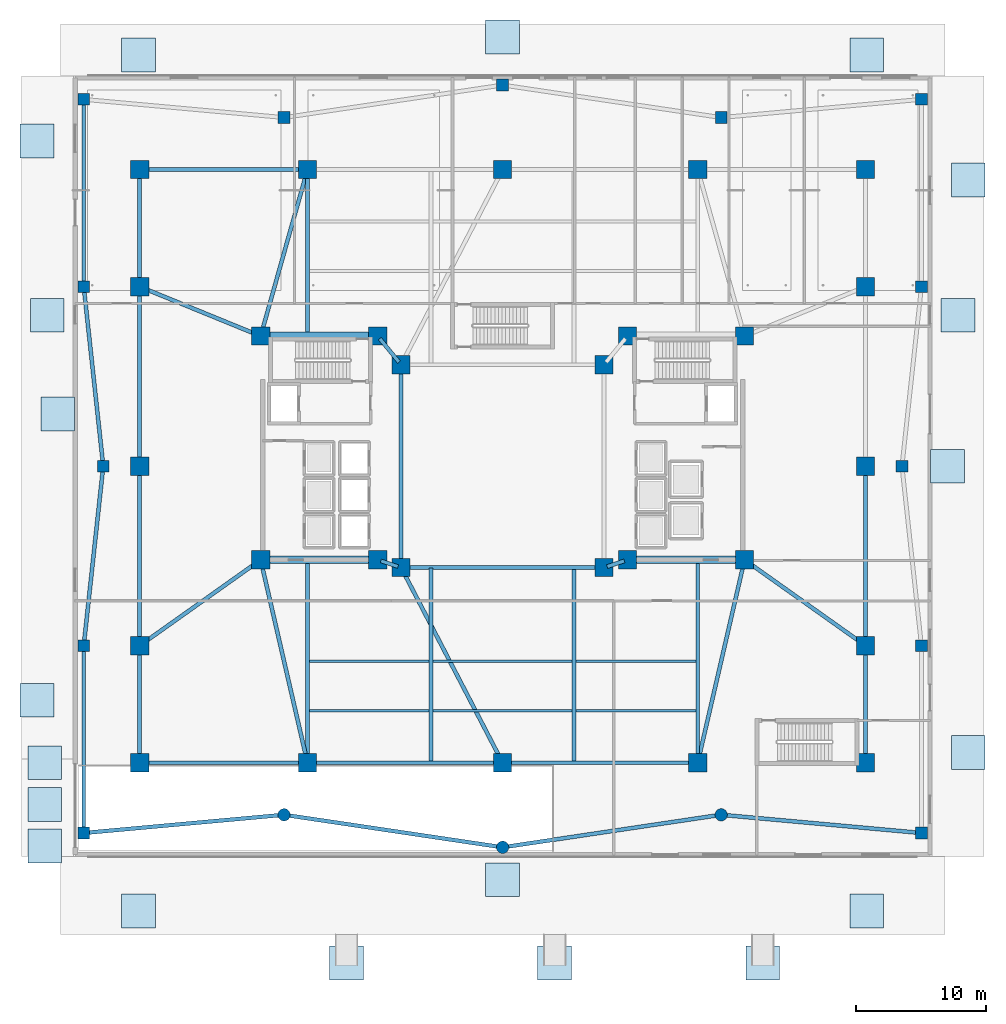
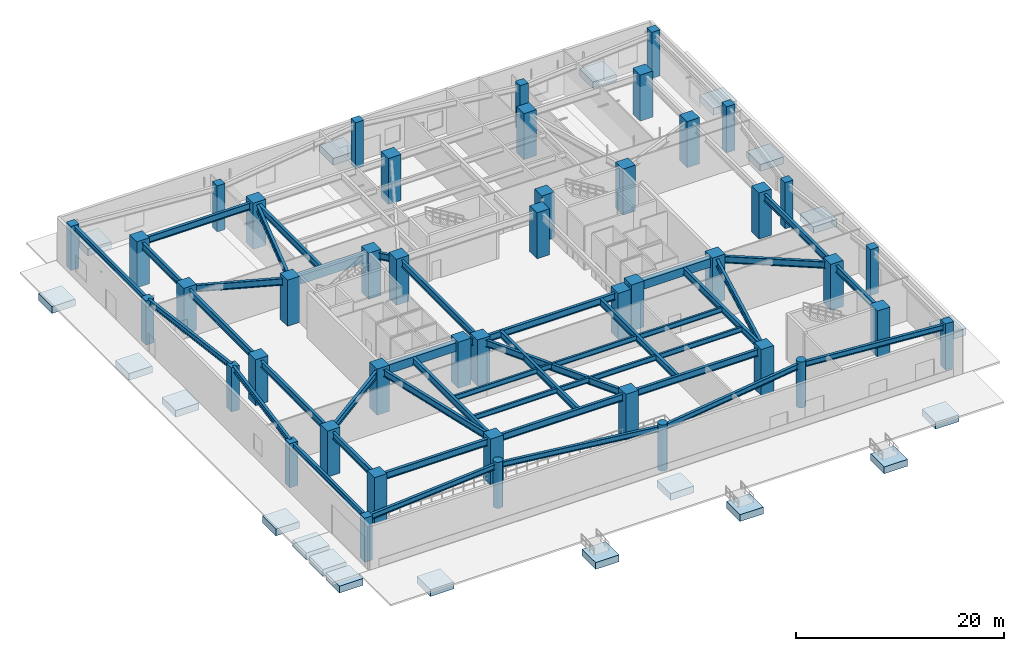
# One storey, part 1 of 18: 44 beams, 44 columns, 20 footings.
"""IFC4 building model written with IfcOpenShell, lengths in metres."""

from ifc_helpers import new_model, si_unit, direction, frame, origin, origin_2d, place, context, subcontext, project, spatial, rectangle, circle, i_section, extrude, material, material_profile, profile_set, type_object, element, save


model = new_model("IFC4")

# Units and contexts
model_context = context("Model", 3, precision=1e-05, world=origin(), true_north=direction((0.0, 1.0)))
body_context = subcontext(model_context, "Body", "Model", "MODEL_VIEW")
ifc_project = project(units=[si_unit("LENGTHUNIT", "METRE"), si_unit("AREAUNIT", "SQUARE_METRE"), si_unit("VOLUMEUNIT", "CUBIC_METRE"), si_unit("PLANEANGLEUNIT", "RADIAN"), si_unit("MASSUNIT", "GRAM", prefix="KILO")], contexts=[model_context])

# Site, building, storey
site_placement = place(None, origin())
site = spatial("IfcSite", under=ifc_project, at=site_placement, CompositionType="ELEMENT")
building_placement = place(site_placement, origin())
building = spatial("IfcBuilding", under=site, at=building_placement, Name="Tarnavaz Court Tower", CompositionType="ELEMENT")
storey_placement = place(building_placement, origin())
storey = spatial("IfcBuildingStorey", under=building, at=storey_placement, Name="L00", CompositionType="ELEMENT", Elevation=0.0)

# Footings
ifc_material_1 = material(Name="Concrete C50/60", Category="concrete")
footing_type = type_object("IfcFootingType", Name="FT-PAD", PredefinedType="PAD_FOOTING", material=ifc_material_1)
for number, where, z_axis, x_axis, name in (
    (1, (-28.0, -34.199951171875, -1.0), (0.0, 0.0, 1.0), (1.0, 0.0, 0.0), "L00 Grade Paving & Ramp Pad Footing S-F1"),
    (2, (0.0, -31.800048828125, -1.0), (0.0, 0.0, 1.0), (1.0, 0.0, 0.0), "L00 Grade Paving & Ramp Pad Footing S-F2"),
    (3, (28.0, -34.199951171875, -1.0), (0.0, 0.0, 1.0), (1.0, 0.0, 0.0), "L00 Grade Paving & Ramp Pad Footing S-F3"),
    (4, (-12.0, -38.199951171875, -1.0), (0.0, 0.0, 1.0), (1.0, 0.0, 0.0), "L00 Grade Paving & Ramp Pad Footing RMP1"),
    (5, (4.0, -38.199951171875, -1.0), (0.0, 0.0, 1.0), (1.0, 0.0, 0.0), "L00 Grade Paving & Ramp Pad Footing RMP2"),
    (6, (20.0, -38.199951171875, -1.0), (0.0, 0.0, 1.0), (1.0, 0.0, 0.0), "L00 Grade Paving & Ramp Pad Footing RMP3"),
    (7, (-28.0, 31.60009765625, -1.0), (0.0, 0.0, 1.0), (1.0, 0.0, 0.0), "L00 Grade Paving & Ramp Pad Footing N-W1"),
    (8, (0.0, 33.0, -1.0), (0.0, 0.0, 1.0), (1.0, 0.0, 0.0), "L00 Grade Paving & Ramp Pad Footing N-W2"),
    (9, (28.0, 31.60009765625, -1.0), (0.0, 0.0, 1.0), (1.0, 0.0, 0.0), "L00 Grade Paving & Ramp Pad Footing N-W3"),
    (10, (-35.800048828125, -18.0, -1.0), (0.0, 0.0, 1.0), (1.0, 0.0, 0.0), "L00 Grade Paving & Ramp Pad Footing W-W1"),
    (11, (-34.199951171875, 4.0, -1.0), (0.0, 0.0, 1.0), (1.0, 0.0, 0.0), "L00 Grade Paving & Ramp Pad Footing W-W2"),
    (12, (-35.800048828125, 25.0, -1.0), (0.0, 0.0, 1.0), (1.0, 0.0, 0.0), "L00 Grade Paving & Ramp Pad Footing W-W3"),
    (13, (-35.199951171875, -29.199951171875, -1.10009765625), (0.0, 0.0, 1.0), (1.0, 0.0, 0.0), "L00 Grade Paving & Ramp Pad Footing W-AP1"),
    (14, (-35.199951171875, -26.0, -1.10009765625), (0.0, 0.0, 1.0), (1.0, 0.0, 0.0), "L00 Grade Paving & Ramp Pad Footing W-AP2"),
    (15, (-35.199951171875, -22.800048828125, -1.10009765625), (0.0, 0.0, 1.0), (1.0, 0.0, 0.0), "L00 Grade Paving & Ramp Pad Footing W-AP3"),
    (16, (35.800048828125, -22.0, -1.0), (0.0, 0.0, 1.0), (1.0, 0.0, 0.0), "L00 Grade Paving & Ramp Pad Footing E-W1"),
    (17, (34.199951171875, 0.0, -1.0), (0.0, 0.0, 1.0), (1.0, 0.0, 0.0), "L00 Grade Paving & Ramp Pad Footing E-W2"),
    (18, (35.800048828125, 22.0, -1.0), (0.0, 0.0, 1.0), (1.0, 0.0, 0.0), "L00 Grade Paving & Ramp Pad Footing E-W3"),
    (19, (-35.0, 11.60009765625, -1.0), (0.0, 0.0, 1.0), (1.0, 0.0, 0.0), "L00 Grade Paving & Ramp Pad Footing W-EX"),
    (20, (35.0, 11.60009765625, -1.0), (0.0, 0.0, 1.0), (1.0, 0.0, 0.0), "L00 Grade Paving & Ramp Pad Footing E-EX"),
):
    element("IfcFooting", number, at=place(storey_placement, frame(where, z_axis=z_axis, x_axis=x_axis)), inside=storey, type_object=footing_type, Name=name, PredefinedType="PAD_FOOTING", context=body_context, shape_type="SweptSolid", body=[
        extrude(rectangle(XDim=2.60009765625, YDim=2.60009765625, at=origin_2d()), origin(), (0.0, 0.0, 1.0), 0.800048828125),
    ])

# Columns
ifc_material_2 = material(Name="Concrete C60/75", Category="concrete")
ifc_material_profile_1 = material_profile(ifc_material_2, rectangle(XDim=1.39990234375, YDim=1.39990234375, at=origin_2d()), Name="RC 1400X1400")
ifc_profile_set_1 = profile_set([ifc_material_profile_1], Name="Concrete C60/75")
column_type_1 = type_object("IfcColumnType", Name="CL-RC1400", PredefinedType="COLUMN", material=ifc_profile_set_1)
for number, where, z_axis, x_axis, name in (
    (21, (-7.800048828125, -7.800048828125, 0.0), (0.0, 0.0, 1.0), (1.0, 0.0, 0.0), "L00 Column IW-SW"),
    (22, (7.800048828125, -7.800048828125, 0.0), (0.0, 0.0, 1.0), (1.0, 0.0, 0.0), "L00 Column IW-SE"),
    (23, (-7.800048828125, 7.800048828125, 0.0), (0.0, 0.0, 1.0), (1.0, 0.0, 0.0), "L00 Column IW-NW"),
    (24, (7.800048828125, 7.800048828125, 0.0), (0.0, 0.0, 1.0), (1.0, 0.0, 0.0), "L00 Column IW-NE"),
    (25, (-9.60009765625, -7.199951171875, 0.0), (0.0, 0.0, 1.0), (1.0, 0.0, 0.0), "L00 Column CW-SI"),
    (26, (-9.60009765625, 10.0, 0.0), (0.0, 0.0, 1.0), (1.0, 0.0, 0.0), "L00 Column CW-NI"),
    (27, (9.60009765625, -7.199951171875, 0.0), (0.0, 0.0, 1.0), (1.0, 0.0, 0.0), "L00 Column CE-SI"),
    (28, (9.60009765625, 10.0, 0.0), (0.0, 0.0, 1.0), (1.0, 0.0, 0.0), "L00 Column CE-NI"),
    (29, (-18.60009765625, -7.199951171875, 0.0), (0.0, 0.0, 1.0), (1.0, 0.0, 0.0), "L00 Column CW-SO"),
    (30, (-18.60009765625, 10.0, 0.0), (0.0, 0.0, 1.0), (1.0, 0.0, 0.0), "L00 Column CW-NO"),
    (31, (18.60009765625, -7.199951171875, 0.0), (0.0, 0.0, 1.0), (1.0, 0.0, 0.0), "L00 Column CE-SO"),
    (32, (18.60009765625, 10.0, 0.0), (0.0, 0.0, 1.0), (1.0, 0.0, 0.0), "L00 Column CE-NO"),
    (33, (-27.89990234375, 22.800048828125, 0.0), (0.0, 0.0, 1.0), (1.0, 0.0, 0.0), "L00 Column PM-NW"),
    (34, (-15.0, 22.800048828125, 0.0), (0.0, 0.0, 1.0), (1.0, 0.0, 0.0), "L00 Column PM-N1"),
    (35, (0.0, 22.800048828125, 0.0), (0.0, 0.0, 1.0), (1.0, 0.0, 0.0), "L00 Column PM-N2"),
    (36, (15.0, 22.800048828125, 0.0), (0.0, 0.0, 1.0), (1.0, 0.0, 0.0), "L00 Column PM-N3"),
    (37, (27.89990234375, 22.800048828125, 0.0), (0.0, 0.0, 1.0), (1.0, 0.0, 0.0), "L00 Column PM-NE"),
    (38, (-27.89990234375, -22.800048828125, 0.0), (0.0, 0.0, 1.0), (1.0, 0.0, 0.0), "L00 Column PM-SW"),
    (39, (-15.0, -22.800048828125, 0.0), (0.0, 0.0, 1.0), (1.0, 0.0, 0.0), "L00 Column PM-S1"),
    (40, (0.0, -22.800048828125, 0.0), (0.0, 0.0, 1.0), (1.0, 0.0, 0.0), "L00 Column PM-S2"),
    (41, (15.0, -22.800048828125, 0.0), (0.0, 0.0, 1.0), (1.0, 0.0, 0.0), "L00 Column PM-S3"),
    (42, (27.89990234375, -22.800048828125, 0.0), (0.0, 0.0, 1.0), (1.0, 0.0, 0.0), "L00 Column PM-SE"),
    (43, (-27.89990234375, -13.800048828125, 0.0), (0.0, 0.0, 1.0), (1.0, 0.0, 0.0), "L00 Column PM-W1"),
    (44, (-27.89990234375, 0.0, 0.0), (0.0, 0.0, 1.0), (1.0, 0.0, 0.0), "L00 Column PM-W2"),
    (45, (-27.89990234375, 13.800048828125, 0.0), (0.0, 0.0, 1.0), (1.0, 0.0, 0.0), "L00 Column PM-W3"),
    (46, (27.89990234375, -13.800048828125, 0.0), (0.0, 0.0, 1.0), (1.0, 0.0, 0.0), "L00 Column PM-E1"),
    (47, (27.89990234375, 0.0, 0.0), (0.0, 0.0, 1.0), (1.0, 0.0, 0.0), "L00 Column PM-E2"),
    (48, (27.89990234375, 13.800048828125, 0.0), (0.0, 0.0, 1.0), (1.0, 0.0, 0.0), "L00 Column PM-E3"),
):
    element("IfcColumn", number, at=place(storey_placement, frame(where, z_axis=z_axis, x_axis=x_axis)), inside=storey, type_object=column_type_1, Name=name, PredefinedType="COLUMN", context=body_context, shape_type="SweptSolid", body=[
        extrude(rectangle(XDim=1.39990234375, YDim=1.39990234375, at=origin_2d()), origin(), (0.0, 0.0, 1.0), 5.39990234375),
    ])
ifc_material_profile_2 = material_profile(ifc_material_1, rectangle(XDim=0.89990234375, YDim=0.89990234375, at=origin_2d()), Name="RC 900X900")
ifc_profile_set_2 = profile_set([ifc_material_profile_2], Name="Concrete C50/60")
column_type_2 = type_object("IfcColumnType", Name="CL-RC900", PredefinedType="COLUMN", material=ifc_profile_set_2)
for number, where, z_axis, x_axis, name in (
    (49, (-32.199951171875, -28.199951171875, 0.0), (0.0, 0.0, 1.0), (1.0, 0.0, 0.0), "L00 Column POD-SW1"),
    (50, (-32.199951171875, -13.800048828125, 0.0), (0.0, 0.0, 1.0), (1.0, 0.0, 0.0), "L00 Column POD-W1"),
    (51, (-30.699951171875, 0.0, 0.0), (0.0, 0.0, 1.0), (1.0, 0.0, 0.0), "L00 Column POD-W2"),
    (52, (-32.199951171875, 13.800048828125, 0.0), (0.0, 0.0, 1.0), (1.0, 0.0, 0.0), "L00 Column POD-W3"),
    (53, (-32.199951171875, 28.199951171875, 0.0), (0.0, 0.0, 1.0), (1.0, 0.0, 0.0), "L00 Column POD-NW1"),
):
    element("IfcColumn", number, at=place(storey_placement, frame(where, z_axis=z_axis, x_axis=x_axis)), inside=storey, type_object=column_type_2, Name=name, PredefinedType="COLUMN", context=body_context, shape_type="SweptSolid", body=[
        extrude(rectangle(XDim=0.89990234375, YDim=0.89990234375, at=origin_2d()), origin(), (0.0, 0.0, 1.0), 5.179931640625),
    ])
for number, where, z_axis, x_axis, name in (
    (54, (32.199951171875, -28.199951171875, 0.0), (0.0, 0.0, 1.0), (1.0, 0.0, 0.0), "L00 Column POD-SE1"),
    (55, (32.199951171875, -13.800048828125, 0.0), (0.0, 0.0, 1.0), (1.0, 0.0, 0.0), "L00 Column POD-E1"),
    (56, (30.699951171875, 0.0, 0.0), (0.0, 0.0, 1.0), (1.0, 0.0, 0.0), "L00 Column POD-E2"),
    (57, (32.199951171875, 13.800048828125, 0.0), (0.0, 0.0, 1.0), (1.0, 0.0, 0.0), "L00 Column POD-E3"),
    (58, (32.199951171875, 28.199951171875, 0.0), (0.0, 0.0, 1.0), (1.0, 0.0, 0.0), "L00 Column POD-NE1"),
    (59, (-16.800048828125, 26.800048828125, 0.0), (0.0, 0.0, 1.0), (1.0, 0.0, 0.0), "L00 Column POD-N1"),
    (60, (0.0, 29.300048828125, 0.0), (0.0, 0.0, 1.0), (1.0, 0.0, 0.0), "L00 Column POD-N2"),
    (61, (16.800048828125, 26.800048828125, 0.0), (0.0, 0.0, 1.0), (1.0, 0.0, 0.0), "L00 Column POD-N3"),
):
    element("IfcColumn", number, at=place(storey_placement, frame(where, z_axis=z_axis, x_axis=x_axis)), inside=storey, type_object=column_type_2, Name=name, PredefinedType="COLUMN", context=body_context, shape_type="SweptSolid", body=[
        extrude(rectangle(XDim=0.89990234375, YDim=0.89990234375, at=origin_2d()), origin(), (0.0, 0.0, 1.0), 5.39990234375),
    ])
ifc_material_profile_3 = material_profile(ifc_material_2, circle(Radius=0.47509765625, at=origin_2d()), Name="RC D950")
ifc_profile_set_3 = profile_set([ifc_material_profile_3], Name="Concrete C60/75")
column_type_3 = type_object("IfcColumnType", Name="CL-RCD950", PredefinedType="PILASTER", material=ifc_profile_set_3)
for number, where, z_axis, x_axis, name in (
    (62, (-16.800048828125, -26.800048828125, 0.0), (0.0, 0.0, 1.0), (1.0, 0.0, 0.0), "L00 Column POD-S1"),
    (63, (0.0, -29.300048828125, 0.0), (0.0, 0.0, 1.0), (1.0, 0.0, 0.0), "L00 Column POD-S2"),
    (64, (16.800048828125, -26.800048828125, 0.0), (0.0, 0.0, 1.0), (1.0, 0.0, 0.0), "L00 Column POD-S3"),
):
    element("IfcColumn", number, at=place(storey_placement, frame(where, z_axis=z_axis, x_axis=x_axis)), inside=storey, type_object=column_type_3, Name=name, PredefinedType="PILASTER", context=body_context, shape_type="SweptSolid", body=[
        extrude(circle(Radius=0.47509765625, at=origin_2d()), origin(), (0.0, 0.0, 1.0), 5.39990234375),
    ])

# Beams
ifc_material_profile_4 = material_profile(ifc_material_2, rectangle(XDim=0.60009765625, YDim=1.0, at=origin_2d()), Name="RC 600X1000")
ifc_profile_set_4 = profile_set([ifc_material_profile_4], Name="Concrete C60/75")
beam_type_1 = type_object("IfcBeamType", Name="BM-CB1000", PredefinedType="LINTEL", material=ifc_profile_set_4)
for number, where, z_axis, x_axis, name in (
    (65, (-18.35009765625, -7.199951171875, 4.60009765625), (1.0, 0.0, 0.0), (0.0, 1.0, 0.0), "L00 Beam CW-SO-CW-SI"),
    (66, (-18.35009765625, 10.0, 4.60009765625), (1.0, 0.0, 0.0), (0.0, 1.0, 0.0), "L00 Beam CW-NO-CW-NI"),
    (67, (18.35009765625, -7.199951171875, 4.60009765625), (-1.0, 0.0, 0.0), (0.0, -1.0, 0.0), "L00 Beam CE-SO-CE-SI"),
):
    element("IfcBeam", number, at=place(storey_placement, frame(where, z_axis=z_axis, x_axis=x_axis)), inside=storey, type_object=beam_type_1, Name=name, PredefinedType="LINTEL", context=body_context, shape_type="SweptSolid", body=[
        extrude(rectangle(XDim=0.60009765625, YDim=1.0, at=origin_2d()), origin(), (0.0, 0.0, 1.0), 8.5),
    ])
ifc_material_3 = material(Name="Steel S355", Category="steel")
ifc_material_profile_5 = material_profile(ifc_material_3, i_section(OverallWidth=0.300048828125, OverallDepth=0.800048828125, WebThickness=0.017578125, FlangeThickness=0.032958984375, FilletRadius=0.030029296875, at=origin_2d()), Name="HEB 800")
ifc_profile_set_5 = profile_set([ifc_material_profile_5], Name="Steel S355")
beam_type_2 = type_object("IfcBeamType", Name="BM-G-HEB800", PredefinedType="USERDEFINED", material=ifc_profile_set_5)
for number, where, z_axis, x_axis, name in (
    (68, (-7.550048828125, -7.800048828125, 4.699951171875), (1.0, 0.0, 0.0), (0.0, 1.0, 0.0), "L00 Beam IW-SW-IW-SE"),
    (69, (-7.800048828125, -7.550048828125, 4.699951171875), (0.0, 1.0, 0.0), (-1.0, 0.0, 0.0), "L00 Beam IW-SW-IW-NW"),
):
    element("IfcBeam", number, at=place(storey_placement, frame(where, z_axis=z_axis, x_axis=x_axis)), inside=storey, type_object=beam_type_2, Name=name, ObjectType="GIRDER", PredefinedType="USERDEFINED", context=body_context, shape_type="SweptSolid", body=[
        extrude(i_section(OverallWidth=0.300048828125, OverallDepth=0.800048828125, WebThickness=0.017578125, FlangeThickness=0.032958984375, FilletRadius=0.030029296875, at=origin_2d()), origin(), (0.0, 0.0, 1.0), 15.10009765625),
    ])
for number, where, z_axis, x_axis, name in (
    (70, (-9.36279296875, -7.279052734375, 4.699951171875), (0.948683298051, -0.316227766017, 0.0), (0.316227766017, 0.948683298051, 0.0), "L00 Beam CW-SI-IW-SW"),
    (71, (9.36279296875, -7.279052734375, 4.699951171875), (-0.948683298051, -0.316227766017, 0.0), (0.316227766017, -0.948683298051, 0.0), "L00 Beam CE-SI-IW-SE"),
):
    element("IfcBeam", number, at=place(storey_placement, frame(where, z_axis=z_axis, x_axis=x_axis)), inside=storey, type_object=beam_type_2, Name=name, ObjectType="GIRDER", PredefinedType="USERDEFINED", context=body_context, shape_type="SweptSolid", body=[
        extrude(i_section(OverallWidth=0.300048828125, OverallDepth=0.800048828125, WebThickness=0.017578125, FlangeThickness=0.032958984375, FilletRadius=0.030029296875, at=origin_2d()), origin(), (0.0, 0.0, 1.0), 1.3974609375),
    ])
beam_1_placement = place(storey_placement, frame((-9.441650390625, 9.806396484375, 4.699951171875), z_axis=(0.633249141033, -0.773948012066, 0.0), x_axis=(0.773948012066, 0.633249141033, 0.0)))
element("IfcBeam", 72, at=beam_1_placement, inside=storey, type_object=beam_type_2, Name="L00 Beam CW-NI-IW-NW", ObjectType="GIRDER", PredefinedType="USERDEFINED", context=body_context, shape_type="SweptSolid", body=[
    extrude(i_section(OverallWidth=0.300048828125, OverallDepth=0.800048828125, WebThickness=0.017578125, FlangeThickness=0.032958984375, FilletRadius=0.030029296875, at=origin_2d()), origin(), (0.0, 0.0, 1.0), 2.342529296875),
])
for number, where, z_axis, x_axis, name in (
    (73, (-27.64990234375, 22.800048828125, 4.699951171875), (1.0, 0.0, 0.0), (0.0, 1.0, 0.0), "L00 Beam PM-PM-NW-PM-N1"),
    (74, (-27.64990234375, -22.800048828125, 4.699951171875), (1.0, 0.0, 0.0), (0.0, 1.0, 0.0), "L00 Beam PM-PM-SW-PM-S1"),
):
    element("IfcBeam", number, at=place(storey_placement, frame(where, z_axis=z_axis, x_axis=x_axis)), inside=storey, type_object=beam_type_2, Name=name, ObjectType="GIRDER", PredefinedType="USERDEFINED", context=body_context, shape_type="SweptSolid", body=[
        extrude(i_section(OverallWidth=0.300048828125, OverallDepth=0.800048828125, WebThickness=0.017578125, FlangeThickness=0.032958984375, FilletRadius=0.030029296875, at=origin_2d()), origin(), (0.0, 0.0, 1.0), 12.39990234375),
    ])
for number, where, z_axis, x_axis, name in (
    (75, (-14.75, -22.800048828125, 4.699951171875), (1.0, 0.0, 0.0), (0.0, 1.0, 0.0), "L00 Beam PM-PM-S1-PM-S2"),
    (76, (0.25, -22.800048828125, 4.699951171875), (1.0, 0.0, 0.0), (0.0, 1.0, 0.0), "L00 Beam PM-PM-S2-PM-S3"),
):
    element("IfcBeam", number, at=place(storey_placement, frame(where, z_axis=z_axis, x_axis=x_axis)), inside=storey, type_object=beam_type_2, Name=name, ObjectType="GIRDER", PredefinedType="USERDEFINED", context=body_context, shape_type="SweptSolid", body=[
        extrude(i_section(OverallWidth=0.300048828125, OverallDepth=0.800048828125, WebThickness=0.017578125, FlangeThickness=0.032958984375, FilletRadius=0.030029296875, at=origin_2d()), origin(), (0.0, 0.0, 1.0), 14.5),
    ])
beam_2_placement = place(storey_placement, frame((-27.89990234375, -22.550048828125, 4.699951171875), z_axis=(0.0, 1.0, 0.0), x_axis=(-1.0, 0.0, 0.0)))
element("IfcBeam", 77, at=beam_2_placement, inside=storey, type_object=beam_type_2, Name="L00 Beam PM-PM-SW-PM-W1", ObjectType="GIRDER", PredefinedType="USERDEFINED", context=body_context, shape_type="SweptSolid", body=[
    extrude(i_section(OverallWidth=0.300048828125, OverallDepth=0.800048828125, WebThickness=0.017578125, FlangeThickness=0.032958984375, FilletRadius=0.030029296875, at=origin_2d()), origin(), (0.0, 0.0, 1.0), 8.5),
])
for number, where, z_axis, x_axis, name in (
    (78, (-27.89990234375, -13.550048828125, 4.699951171875), (0.0, 1.0, 0.0), (-1.0, 0.0, 0.0), "L00 Beam PM-PM-W1-PM-W2"),
    (79, (-27.89990234375, 0.25, 4.699951171875), (0.0, 1.0, 0.0), (-1.0, 0.0, 0.0), "L00 Beam PM-PM-W2-PM-W3"),
):
    element("IfcBeam", number, at=place(storey_placement, frame(where, z_axis=z_axis, x_axis=x_axis)), inside=storey, type_object=beam_type_2, Name=name, ObjectType="GIRDER", PredefinedType="USERDEFINED", context=body_context, shape_type="SweptSolid", body=[
        extrude(i_section(OverallWidth=0.300048828125, OverallDepth=0.800048828125, WebThickness=0.017578125, FlangeThickness=0.032958984375, FilletRadius=0.030029296875, at=origin_2d()), origin(), (0.0, 0.0, 1.0), 13.300048828125),
    ])
for number, where, z_axis, x_axis, name in (
    (80, (-27.89990234375, 14.050048828125, 4.699951171875), (0.0, 1.0, 0.0), (-1.0, 0.0, 0.0), "L00 Beam PM-PM-W3-PM-NW"),
    (81, (27.89990234375, -22.550048828125, 4.699951171875), (0.0, 1.0, 0.0), (-1.0, 0.0, 0.0), "L00 Beam PM-PM-SE-PM-E1"),
):
    element("IfcBeam", number, at=place(storey_placement, frame(where, z_axis=z_axis, x_axis=x_axis)), inside=storey, type_object=beam_type_2, Name=name, ObjectType="GIRDER", PredefinedType="USERDEFINED", context=body_context, shape_type="SweptSolid", body=[
        extrude(i_section(OverallWidth=0.300048828125, OverallDepth=0.800048828125, WebThickness=0.017578125, FlangeThickness=0.032958984375, FilletRadius=0.030029296875, at=origin_2d()), origin(), (0.0, 0.0, 1.0), 8.5),
    ])
beam_3_placement = place(storey_placement, frame((27.89990234375, -13.550048828125, 4.699951171875), z_axis=(0.0, 1.0, 0.0), x_axis=(-1.0, 0.0, 0.0)))
element("IfcBeam", 82, at=beam_3_placement, inside=storey, type_object=beam_type_2, Name="L00 Beam PM-PM-E1-PM-E2", ObjectType="GIRDER", PredefinedType="USERDEFINED", context=body_context, shape_type="SweptSolid", body=[
    extrude(i_section(OverallWidth=0.300048828125, OverallDepth=0.800048828125, WebThickness=0.017578125, FlangeThickness=0.032958984375, FilletRadius=0.030029296875, at=origin_2d()), origin(), (0.0, 0.0, 1.0), 13.300048828125),
])
beam_4_placement = place(storey_placement, frame((-18.5322265625, 10.24072265625, 4.699951171875), z_axis=(0.270745024415, 0.962651095545, 0.0), x_axis=(-0.962651095545, 0.270745024415, 0.0)))
element("IfcBeam", 83, at=beam_4_placement, inside=storey, type_object=beam_type_2, Name="L00 Beam PM-CW-NO-PM-N1", ObjectType="GIRDER", PredefinedType="USERDEFINED", context=body_context, shape_type="SweptSolid", body=[
    extrude(i_section(OverallWidth=0.300048828125, OverallDepth=0.800048828125, WebThickness=0.017578125, FlangeThickness=0.032958984375, FilletRadius=0.030029296875, at=origin_2d()), origin(), (0.0, 0.0, 1.0), 12.796630859375),
])
beam_5_placement = place(storey_placement, frame((-18.543701171875, -7.443603515625, 4.699951171875), z_axis=(0.224858357084, -0.97439146099, 0.0), x_axis=(0.97439146099, 0.224858357084, 0.0)))
element("IfcBeam", 84, at=beam_5_placement, inside=storey, type_object=beam_type_2, Name="L00 Beam PM-CW-SO-PM-S1", ObjectType="GIRDER", PredefinedType="USERDEFINED", context=body_context, shape_type="SweptSolid", body=[
    extrude(i_section(OverallWidth=0.300048828125, OverallDepth=0.800048828125, WebThickness=0.017578125, FlangeThickness=0.032958984375, FilletRadius=0.030029296875, at=origin_2d()), origin(), (0.0, 0.0, 1.0), 15.510009765625),
])
beam_6_placement = place(storey_placement, frame((-7.684814453125, -8.021728515625, 4.699951171875), z_axis=(0.461364918236, -0.887210466699, 0.0), x_axis=(0.887210466699, 0.461364918236, 0.0)))
element("IfcBeam", 85, at=beam_6_placement, inside=storey, type_object=beam_type_2, Name="L00 Beam PM-IW-SW-PM-S2", ObjectType="GIRDER", PredefinedType="USERDEFINED", context=body_context, shape_type="SweptSolid", body=[
    extrude(i_section(OverallWidth=0.300048828125, OverallDepth=0.800048828125, WebThickness=0.017578125, FlangeThickness=0.032958984375, FilletRadius=0.030029296875, at=origin_2d()), origin(), (0.0, 0.0, 1.0), 16.406982421875),
])
beam_7_placement = place(storey_placement, frame((18.543701171875, -7.443603515625, 4.699951171875), z_axis=(-0.224858357084, -0.97439146099, 0.0), x_axis=(0.97439146099, -0.224858357084, 0.0)))
element("IfcBeam", 86, at=beam_7_placement, inside=storey, type_object=beam_type_2, Name="L00 Beam PM-CE-SO-PM-S3", ObjectType="GIRDER", PredefinedType="USERDEFINED", context=body_context, shape_type="SweptSolid", body=[
    extrude(i_section(OverallWidth=0.300048828125, OverallDepth=0.800048828125, WebThickness=0.017578125, FlangeThickness=0.032958984375, FilletRadius=0.030029296875, at=origin_2d()), origin(), (0.0, 0.0, 1.0), 15.510009765625),
])
beam_8_placement = place(storey_placement, frame((-18.803955078125, -7.3447265625, 4.699951171875), z_axis=(-0.815505781161, -0.578748927336, 0.0), x_axis=(0.578748927336, -0.815505781161, 0.0)))
element("IfcBeam", 87, at=beam_8_placement, inside=storey, type_object=beam_type_2, Name="L00 Beam PM-CW-SO-PM-W1", ObjectType="GIRDER", PredefinedType="USERDEFINED", context=body_context, shape_type="SweptSolid", body=[
    extrude(i_section(OverallWidth=0.300048828125, OverallDepth=0.800048828125, WebThickness=0.017578125, FlangeThickness=0.032958984375, FilletRadius=0.030029296875, at=origin_2d()), origin(), (0.0, 0.0, 1.0), 10.90380859375),
])
beam_9_placement = place(storey_placement, frame((-18.831298828125, 10.094482421875, 4.699951171875), z_axis=(-0.925710630755, 0.378232505356, 0.0), x_axis=(-0.378232505356, -0.925710630755, 0.0)))
element("IfcBeam", 88, at=beam_9_placement, inside=storey, type_object=beam_type_2, Name="L00 Beam PM-CW-NO-PM-W3", ObjectType="GIRDER", PredefinedType="USERDEFINED", context=body_context, shape_type="SweptSolid", body=[
    extrude(i_section(OverallWidth=0.300048828125, OverallDepth=0.800048828125, WebThickness=0.017578125, FlangeThickness=0.032958984375, FilletRadius=0.030029296875, at=origin_2d()), origin(), (0.0, 0.0, 1.0), 9.546630859375),
])
beam_10_placement = place(storey_placement, frame((18.803955078125, -7.3447265625, 4.699951171875), z_axis=(0.815505781161, -0.578748927336, 0.0), x_axis=(0.578748927336, 0.815505781161, 0.0)))
element("IfcBeam", 89, at=beam_10_placement, inside=storey, type_object=beam_type_2, Name="L00 Beam PM-CE-SO-PM-E1", ObjectType="GIRDER", PredefinedType="USERDEFINED", context=body_context, shape_type="SweptSolid", body=[
    extrude(i_section(OverallWidth=0.300048828125, OverallDepth=0.800048828125, WebThickness=0.017578125, FlangeThickness=0.032958984375, FilletRadius=0.030029296875, at=origin_2d()), origin(), (0.0, 0.0, 1.0), 10.90380859375),
])
beam_11_placement = place(storey_placement, frame((-15.0, 10.0400390625, 4.699951171875), z_axis=(0.0, 1.0, 0.0), x_axis=(-1.0, 0.0, 0.0)))
element("IfcBeam", 90, at=beam_11_placement, inside=storey, type_object=beam_type_2, Name="L00 Beam PM-NS-NW", ObjectType="GIRDER", PredefinedType="USERDEFINED", context=body_context, shape_type="SweptSolid", body=[
    extrude(i_section(OverallWidth=0.300048828125, OverallDepth=0.800048828125, WebThickness=0.017578125, FlangeThickness=0.032958984375, FilletRadius=0.030029296875, at=origin_2d()), origin(), (0.0, 0.0, 1.0), 12.719970703125),
])
beam_12_placement = place(storey_placement, frame((-15.0, -7.239990234375, 4.699951171875), z_axis=(0.0, -1.0, 0.0), x_axis=(1.0, 0.0, 0.0)))
element("IfcBeam", 91, at=beam_12_placement, inside=storey, type_object=beam_type_2, Name="L00 Beam PM-NS-SW", ObjectType="GIRDER", PredefinedType="USERDEFINED", context=body_context, shape_type="SweptSolid", body=[
    extrude(i_section(OverallWidth=0.300048828125, OverallDepth=0.800048828125, WebThickness=0.017578125, FlangeThickness=0.032958984375, FilletRadius=0.030029296875, at=origin_2d()), origin(), (0.0, 0.0, 1.0), 15.52001953125),
])
for number, where, z_axis, x_axis, name in (
    (92, (-5.5, -7.840087890625, 4.699951171875), (0.0, -1.0, 0.0), (1.0, 0.0, 0.0), "L00 Beam PM-NS-SCW"),
    (93, (5.5, -7.840087890625, 4.699951171875), (0.0, -1.0, 0.0), (1.0, 0.0, 0.0), "L00 Beam PM-NS-SCE"),
):
    element("IfcBeam", number, at=place(storey_placement, frame(where, z_axis=z_axis, x_axis=x_axis)), inside=storey, type_object=beam_type_2, Name=name, ObjectType="GIRDER", PredefinedType="USERDEFINED", context=body_context, shape_type="SweptSolid", body=[
        extrude(i_section(OverallWidth=0.300048828125, OverallDepth=0.800048828125, WebThickness=0.017578125, FlangeThickness=0.032958984375, FilletRadius=0.030029296875, at=origin_2d()), origin(), (0.0, 0.0, 1.0), 14.919921875),
    ])
beam_13_placement = place(storey_placement, frame((15.0, -7.239990234375, 4.699951171875), z_axis=(0.0, -1.0, 0.0), x_axis=(1.0, 0.0, 0.0)))
element("IfcBeam", 94, at=beam_13_placement, inside=storey, type_object=beam_type_2, Name="L00 Beam PM-NS-SE", ObjectType="GIRDER", PredefinedType="USERDEFINED", context=body_context, shape_type="SweptSolid", body=[
    extrude(i_section(OverallWidth=0.300048828125, OverallDepth=0.800048828125, WebThickness=0.017578125, FlangeThickness=0.032958984375, FilletRadius=0.030029296875, at=origin_2d()), origin(), (0.0, 0.0, 1.0), 15.52001953125),
])
ifc_material_profile_6 = material_profile(ifc_material_3, i_section(OverallWidth=0.219970703125, OverallDepth=0.60009765625, WebThickness=0.011962890625, FlangeThickness=0.01904296875, FilletRadius=0.02392578125, at=origin_2d()), Name="IPE 600")
ifc_profile_set_6 = profile_set([ifc_material_profile_6], Name="Steel S355")
beam_type_3 = type_object("IfcBeamType", Name="BM-J-IPE600", PredefinedType="JOIST", material=ifc_profile_set_6)
beam_14_placement = place(storey_placement, frame((-14.85009765625, -15.0, 4.800048828125), z_axis=(1.0, 0.0, 0.0), x_axis=(0.0, 1.0, 0.0)))
element("IfcBeam", 95, at=beam_14_placement, inside=storey, type_object=beam_type_3, Name="L00 Beam PJS-1-1", PredefinedType="JOIST", context=body_context, shape_type="SweptSolid", body=[
    extrude(i_section(OverallWidth=0.219970703125, OverallDepth=0.60009765625, WebThickness=0.011962890625, FlangeThickness=0.01904296875, FilletRadius=0.02392578125, at=origin_2d()), origin(), (0.0, 0.0, 1.0), 9.2001953125),
])
beam_15_placement = place(storey_placement, frame((-5.35009765625, -15.0, 4.800048828125), z_axis=(1.0, 0.0, 0.0), x_axis=(0.0, 1.0, 0.0)))
element("IfcBeam", 96, at=beam_15_placement, inside=storey, type_object=beam_type_3, Name="L00 Beam PJS-1-2", PredefinedType="JOIST", context=body_context, shape_type="SweptSolid", body=[
    extrude(i_section(OverallWidth=0.219970703125, OverallDepth=0.60009765625, WebThickness=0.011962890625, FlangeThickness=0.01904296875, FilletRadius=0.02392578125, at=origin_2d()), origin(), (0.0, 0.0, 1.0), 10.7001953125),
])
for number, where, z_axis, x_axis, name in (
    (97, (5.64990234375, -15.0, 4.800048828125), (1.0, 0.0, 0.0), (0.0, 1.0, 0.0), "L00 Beam PJS-1-3"),
    (98, (-14.85009765625, -18.800048828125, 4.800048828125), (1.0, 0.0, 0.0), (0.0, 1.0, 0.0), "L00 Beam PJS-2-1"),
):
    element("IfcBeam", number, at=place(storey_placement, frame(where, z_axis=z_axis, x_axis=x_axis)), inside=storey, type_object=beam_type_3, Name=name, PredefinedType="JOIST", context=body_context, shape_type="SweptSolid", body=[
        extrude(i_section(OverallWidth=0.219970703125, OverallDepth=0.60009765625, WebThickness=0.011962890625, FlangeThickness=0.01904296875, FilletRadius=0.02392578125, at=origin_2d()), origin(), (0.0, 0.0, 1.0), 9.2001953125),
    ])
beam_16_placement = place(storey_placement, frame((-5.35009765625, -18.800048828125, 4.800048828125), z_axis=(1.0, 0.0, 0.0), x_axis=(0.0, 1.0, 0.0)))
element("IfcBeam", 99, at=beam_16_placement, inside=storey, type_object=beam_type_3, Name="L00 Beam PJS-2-2", PredefinedType="JOIST", context=body_context, shape_type="SweptSolid", body=[
    extrude(i_section(OverallWidth=0.219970703125, OverallDepth=0.60009765625, WebThickness=0.011962890625, FlangeThickness=0.01904296875, FilletRadius=0.02392578125, at=origin_2d()), origin(), (0.0, 0.0, 1.0), 10.7001953125),
])
beam_17_placement = place(storey_placement, frame((5.64990234375, -18.800048828125, 4.800048828125), z_axis=(1.0, 0.0, 0.0), x_axis=(0.0, 1.0, 0.0)))
element("IfcBeam", 100, at=beam_17_placement, inside=storey, type_object=beam_type_3, Name="L00 Beam PJS-2-3", PredefinedType="JOIST", context=body_context, shape_type="SweptSolid", body=[
    extrude(i_section(OverallWidth=0.219970703125, OverallDepth=0.60009765625, WebThickness=0.011962890625, FlangeThickness=0.01904296875, FilletRadius=0.02392578125, at=origin_2d()), origin(), (0.0, 0.0, 1.0), 9.2001953125),
])
ifc_material_profile_7 = material_profile(ifc_material_3, i_section(OverallWidth=0.300048828125, OverallDepth=0.639892578125, WebThickness=0.013427734375, FlangeThickness=0.02587890625, FilletRadius=0.027099609375, at=origin_2d()), Name="HEA 650")
ifc_profile_set_7 = profile_set([ifc_material_profile_7], Name="Steel S355")
beam_type_4 = type_object("IfcBeamType", Name="BM-SP-HEA650", PredefinedType="SPANDREL", material=ifc_profile_set_7)
beam_18_placement = place(storey_placement, frame((-32.199951171875, -28.0, 4.860107421875), z_axis=(0.0, 1.0, 0.0), x_axis=(-1.0, 0.0, 0.0)))
element("IfcBeam", 101, at=beam_18_placement, inside=storey, type_object=beam_type_4, Name="L00 Beam PR-POD-SW1-POD-W1", PredefinedType="SPANDREL", context=body_context, shape_type="SweptSolid", body=[
    extrude(i_section(OverallWidth=0.300048828125, OverallDepth=0.639892578125, WebThickness=0.013427734375, FlangeThickness=0.02587890625, FilletRadius=0.027099609375, at=origin_2d()), origin(), (0.0, 0.0, 1.0), 14.0),
])
for number, where, z_axis, x_axis, name in (
    (102, (-32.178466796875, -13.601318359375, 4.860107421875), (0.10805801352, 0.994144589944, 0.0), (-0.994144589944, 0.10805801352, 0.0), "L00 Beam PR-POD-W1-POD-W2"),
    (103, (-30.7216796875, 0.19873046875, 4.860107421875), (-0.10805801352, 0.994144589944, 0.0), (-0.994144589944, -0.10805801352, 0.0), "L00 Beam PR-POD-W2-POD-W3"),
):
    element("IfcBeam", number, at=place(storey_placement, frame(where, z_axis=z_axis, x_axis=x_axis)), inside=storey, type_object=beam_type_4, Name=name, PredefinedType="SPANDREL", context=body_context, shape_type="SweptSolid", body=[
        extrude(i_section(OverallWidth=0.300048828125, OverallDepth=0.639892578125, WebThickness=0.013427734375, FlangeThickness=0.02587890625, FilletRadius=0.027099609375, at=origin_2d()), origin(), (0.0, 0.0, 1.0), 13.4814453125),
    ])
beam_19_placement = place(storey_placement, frame((-32.199951171875, 14.0, 4.860107421875), z_axis=(0.0, 1.0, 0.0), x_axis=(-1.0, 0.0, 0.0)))
element("IfcBeam", 104, at=beam_19_placement, inside=storey, type_object=beam_type_4, Name="L00 Beam PR-POD-W3-POD-NW1", PredefinedType="SPANDREL", context=body_context, shape_type="SweptSolid", body=[
    extrude(i_section(OverallWidth=0.300048828125, OverallDepth=0.639892578125, WebThickness=0.013427734375, FlangeThickness=0.02587890625, FilletRadius=0.027099609375, at=origin_2d()), origin(), (0.0, 0.0, 1.0), 14.0),
])
beam_20_placement = place(storey_placement, frame((-32.000732421875, -28.181884765625, 4.780029296875), z_axis=(0.995893206468, 0.090535746043, 0.0), x_axis=(-0.090535746043, 0.995893206468, 0.0)))
element("IfcBeam", 105, at=beam_20_placement, inside=storey, type_object=beam_type_4, Name="L00 Beam PR-POD-SW1-POD-S1", PredefinedType="SPANDREL", context=body_context, shape_type="SweptSolid", body=[
    extrude(i_section(OverallWidth=0.300048828125, OverallDepth=0.639892578125, WebThickness=0.013427734375, FlangeThickness=0.02587890625, FilletRadius=0.027099609375, at=origin_2d()), origin(), (0.0, 0.0, 1.0), 15.063232421875),
])
for number, where, z_axis, x_axis, name in (
    (106, (-16.602294921875, -26.829345703125, 4.780029296875), (0.989108332922, -0.147189353368, 0.0), (0.147189353368, 0.989108332922, 0.0), "L00 Beam PR-POD-S1-POD-S2"),
    (107, (0.19775390625, -29.2705078125, 4.780029296875), (0.989108332922, 0.147189353368, 0.0), (-0.147189353368, 0.989108332922, 0.0), "L00 Beam PR-POD-S2-POD-S3"),
):
    element("IfcBeam", number, at=place(storey_placement, frame(where, z_axis=z_axis, x_axis=x_axis)), inside=storey, type_object=beam_type_4, Name=name, PredefinedType="SPANDREL", context=body_context, shape_type="SweptSolid", body=[
        extrude(i_section(OverallWidth=0.300048828125, OverallDepth=0.639892578125, WebThickness=0.013427734375, FlangeThickness=0.02587890625, FilletRadius=0.027099609375, at=origin_2d()), origin(), (0.0, 0.0, 1.0), 16.585205078125),
    ])
beam_21_placement = place(storey_placement, frame((16.999267578125, -26.818115234375, 4.780029296875), z_axis=(0.995893206468, -0.090535746043, 0.0), x_axis=(0.090535746043, 0.995893206468, 0.0)))
element("IfcBeam", 108, at=beam_21_placement, inside=storey, type_object=beam_type_4, Name="L00 Beam PR-POD-S3-POD-SE1", PredefinedType="SPANDREL", context=body_context, shape_type="SweptSolid", body=[
    extrude(i_section(OverallWidth=0.300048828125, OverallDepth=0.639892578125, WebThickness=0.013427734375, FlangeThickness=0.02587890625, FilletRadius=0.027099609375, at=origin_2d()), origin(), (0.0, 0.0, 1.0), 15.063232421875),
])

save(model, "model.ifc")
